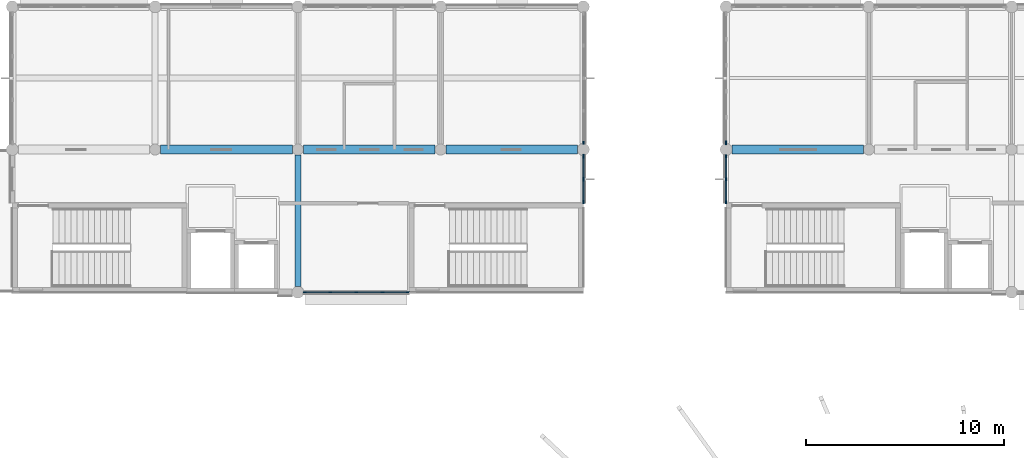
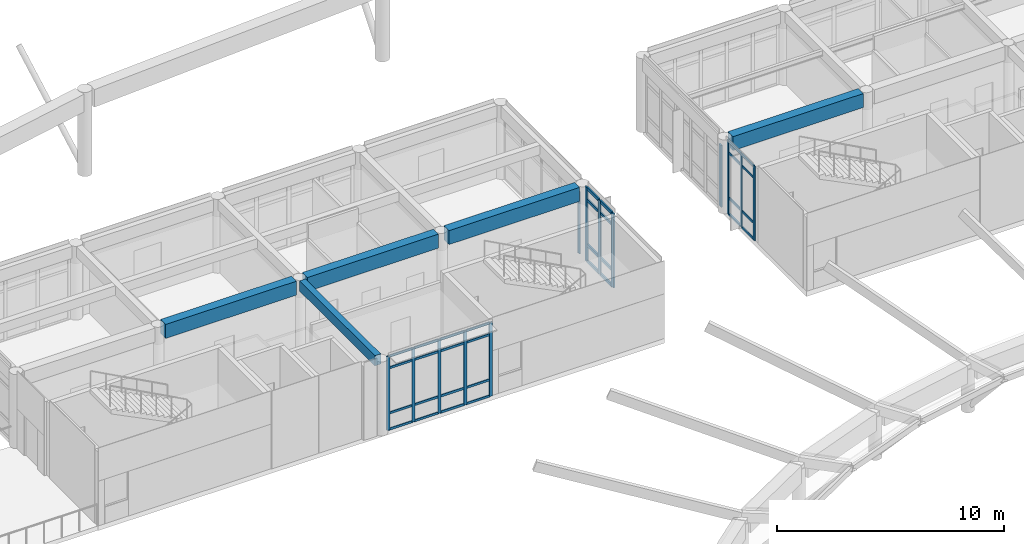
# One storey, part 8 of 37: 45 members, 5 beams, 5 elements without a shape of their own.
"""IFC4 building model written with IfcOpenShell, lengths in metres."""

from ifc_helpers import new_model, si_unit, direction, frame, origin, origin_2d, place, context, subcontext, project, spatial, rectangle, extrude, material, layer, layer_set, material_profile, profile_set, type_object, element, aggregate, save


model = new_model("IFC4")

# Units and contexts
model_context = context("Model", 3, precision=1e-05, world=origin(), true_north=direction((0.0, 1.0)))
body_context = subcontext(model_context, "Body", "Model", "MODEL_VIEW")
ifc_project = project(units=[si_unit("LENGTHUNIT", "METRE"), si_unit("AREAUNIT", "SQUARE_METRE"), si_unit("VOLUMEUNIT", "CUBIC_METRE"), si_unit("PLANEANGLEUNIT", "RADIAN"), si_unit("MASSUNIT", "GRAM", prefix="KILO")], contexts=[model_context])

# Site, building, storey
site_placement = place(None, origin())
site = spatial("IfcSite", under=ifc_project, at=site_placement, CompositionType="ELEMENT")
building_placement = place(site_placement, origin())
building = spatial("IfcBuilding", under=site, at=building_placement, Name="Namkhue Oval Health Centre", CompositionType="ELEMENT")
storey_placement = place(building_placement, frame((0.0, 0.0, 22.199951171875)))
storey = spatial("IfcBuildingStorey", under=building, at=storey_placement, Name="L05", CompositionType="ELEMENT", Elevation=22.199951171875)

# Curtain wall, members
ifc_material_1 = material(Name="Anodised aluminium EN AW-6063 T6", Category="aluminium")
ifc_layer_1 = layer(ifc_material_1, 0.159912109375)
ifc_layer_set_1 = layer_set([ifc_layer_1], Name="Anodised aluminium EN AW-6063 T6")
curtain_wall_type_1 = type_object("IfcCurtainWallType", Name="UNITISED CURTAIN WALL M1200", PredefinedType="NOTDEFINED", material=ifc_layer_set_1)
curtain_wall_1_placement = place(storey_placement, origin())
curtain_wall_1 = element("IfcCurtainWall", 1, at=curtain_wall_1_placement, inside=storey, type_object=curtain_wall_type_1, Name="Volume V2 L05 Unitised Curtain Wall 85", PredefinedType="NOTDEFINED")
ifc_material_profile_1 = material_profile(ifc_material_1, rectangle(XDim=0.06494140625, YDim=0.159912109375, at=origin_2d()), Name="ALU 65x160")
ifc_profile_set_1 = profile_set([ifc_material_profile_1], Name="Anodised aluminium EN AW-6063 T6")
member_type_1 = type_object("IfcMemberType", Name="CURTAIN WALL MULLION 65X160", PredefinedType="MULLION", material=ifc_profile_set_1)
member_1_placement = place(storey_placement, frame((72.342529296875, 90.0, 0.0), z_axis=(0.0, 0.0, 1.0), x_axis=(0.0, 1.0, 0.0)))
member_1 = element("IfcMember", 2, at=member_1_placement, type_object=member_type_1, Name="CW-01 mullion 1", PredefinedType="MULLION", context=body_context, shape_type="SweptSolid", body=[
    extrude(rectangle(XDim=0.06494140625, YDim=0.159912109375, at=origin_2d()), origin(), (0.0, 0.0, 1.0), 3.97509765625),
])
member_2_placement = place(storey_placement, frame((73.628173828125, 90.0, 0.0), z_axis=(0.0, 0.0, 1.0), x_axis=(0.0, 1.0, 0.0)))
member_2 = element("IfcMember", 3, at=member_2_placement, type_object=member_type_1, Name="CW-01 mullion 2", PredefinedType="MULLION", context=body_context, shape_type="SweptSolid", body=[
    extrude(rectangle(XDim=0.06494140625, YDim=0.159912109375, at=origin_2d()), origin(), (0.0, 0.0, 1.0), 3.97509765625),
])
member_3_placement = place(storey_placement, frame((74.946533203125, 90.0, 0.0), z_axis=(0.0, 0.0, 1.0), x_axis=(0.0, 1.0, 0.0)))
member_3 = element("IfcMember", 4, at=member_3_placement, type_object=member_type_1, Name="CW-01 mullion 3", PredefinedType="MULLION", context=body_context, shape_type="SweptSolid", body=[
    extrude(rectangle(XDim=0.06494140625, YDim=0.159912109375, at=origin_2d()), origin(), (0.0, 0.0, 1.0), 3.97509765625),
])
member_4_placement = place(storey_placement, frame((76.2646484375, 90.0, 0.0), z_axis=(0.0, 0.0, 1.0), x_axis=(0.0, 1.0, 0.0)))
member_4 = element("IfcMember", 5, at=member_4_placement, type_object=member_type_1, Name="CW-01 mullion 4", PredefinedType="MULLION", context=body_context, shape_type="SweptSolid", body=[
    extrude(rectangle(XDim=0.06494140625, YDim=0.159912109375, at=origin_2d()), origin(), (0.0, 0.0, 1.0), 3.97509765625),
])
member_5_placement = place(storey_placement, frame((77.550537109375, 90.0, 0.0), z_axis=(0.0, 0.0, 1.0), x_axis=(0.0, 1.0, 0.0)))
member_5 = element("IfcMember", 6, at=member_5_placement, type_object=member_type_1, Name="CW-01 mullion 5", PredefinedType="MULLION", context=body_context, shape_type="SweptSolid", body=[
    extrude(rectangle(XDim=0.06494140625, YDim=0.159912109375, at=origin_2d()), origin(), (0.0, 0.0, 1.0), 3.97509765625),
])

# Curtain wall, member
ifc_layer_2 = layer(ifc_material_1, 0.159912109375)
ifc_layer_set_2 = layer_set([ifc_layer_2], Name="Anodised aluminium EN AW-6063 T6")
curtain_wall_type_2 = type_object("IfcCurtainWallType", Name="UNITISED CURTAIN WALL M1500", PredefinedType="NOTDEFINED", material=ifc_layer_set_2)
curtain_wall_2_placement = place(storey_placement, origin())
curtain_wall_2 = element("IfcCurtainWall", 7, at=curtain_wall_2_placement, inside=storey, type_object=curtain_wall_type_2, Name="Volume V2 L05 Unitised Curtain Wall 87", PredefinedType="NOTDEFINED")
member_6_placement = place(storey_placement, frame((86.39990234375, 97.54248046875, 0.0), z_axis=(0.0, 0.0, 1.0), x_axis=(-1.0, 0.0, 0.0)))
member_6 = element("IfcMember", 8, at=member_6_placement, type_object=member_type_1, Name="CW-03 mullion 1", PredefinedType="MULLION", context=body_context, shape_type="SweptSolid", body=[
    extrude(rectangle(XDim=0.06494140625, YDim=0.159912109375, at=origin_2d()), origin(), (0.0, 0.0, 1.0), 3.324951171875),
])
aggregate(curtain_wall_2, [member_6])

# Curtain wall, members
curtain_wall_3_placement = place(storey_placement, origin())
curtain_wall_3 = element("IfcCurtainWall", 9, at=curtain_wall_3_placement, inside=storey, type_object=curtain_wall_type_2, Name="Volume V3 L05 Unitised Curtain Wall 135", PredefinedType="NOTDEFINED")
member_7_placement = place(storey_placement, frame((93.60009765625, 96.857421875, 0.0), z_axis=(0.0, 0.0, 1.0), x_axis=(1.0, 0.0, 0.0)))
member_7 = element("IfcMember", 10, at=member_7_placement, type_object=member_type_1, Name="CW-03 mullion 1", PredefinedType="MULLION", context=body_context, shape_type="SweptSolid", body=[
    extrude(rectangle(XDim=0.06494140625, YDim=0.159912109375, at=origin_2d()), origin(), (0.0, 0.0, 1.0), 3.969970703125),
])
member_8_placement = place(storey_placement, frame((93.60009765625, 95.70361328125, 0.0), z_axis=(0.0, 0.0, 1.0), x_axis=(1.0, 0.0, 0.0)))
member_8 = element("IfcMember", 11, at=member_8_placement, type_object=member_type_1, Name="CW-03 mullion 2", PredefinedType="MULLION", context=body_context, shape_type="SweptSolid", body=[
    extrude(rectangle(XDim=0.06494140625, YDim=0.159912109375, at=origin_2d()), origin(), (0.0, 0.0, 1.0), 3.969970703125),
])
member_9_placement = place(storey_placement, frame((93.60009765625, 94.549560546875, 0.0), z_axis=(0.0, 0.0, 1.0), x_axis=(1.0, 0.0, 0.0)))
member_9 = element("IfcMember", 12, at=member_9_placement, type_object=member_type_1, Name="CW-03 mullion 3", PredefinedType="MULLION", context=body_context, shape_type="SweptSolid", body=[
    extrude(rectangle(XDim=0.06494140625, YDim=0.159912109375, at=origin_2d()), origin(), (0.0, 0.0, 1.0), 3.969970703125),
])

ifc_layer_3 = layer(ifc_material_1, 0.159912109375)
ifc_layer_set_3 = layer_set([ifc_layer_3], Name="Anodised aluminium EN AW-6063 T6")
curtain_wall_type_3 = type_object("IfcCurtainWallType", Name="UNITISED CURTAIN WALL M1350", PredefinedType="NOTDEFINED", material=ifc_layer_set_3)
curtain_wall_4_placement = place(storey_placement, origin())
curtain_wall_4 = element("IfcCurtainWall", 13, at=curtain_wall_4_placement, inside=storey, type_object=curtain_wall_type_3, Name="Volume V2 L05 Unitised Curtain Wall 86", PredefinedType="NOTDEFINED")
ifc_material_profile_2 = material_profile(ifc_material_1, rectangle(XDim=0.074951171875, YDim=0.199951171875, at=origin_2d()), Name="ALU 75x200")
ifc_profile_set_2 = profile_set([ifc_material_profile_2], Name="Anodised aluminium EN AW-6063 T6")
member_type_2 = type_object("IfcMemberType", Name="CURTAIN WALL MULLION 75X200", PredefinedType="MULLION", material=ifc_profile_set_2)
member_10_placement = place(storey_placement, frame((86.39990234375, 94.554443359375, 0.0), z_axis=(0.0, 0.0, 1.0), x_axis=(-1.0, 0.0, 0.0)))
member_10 = element("IfcMember", 14, at=member_10_placement, type_object=member_type_2, Name="CW-02 mullion 1", PredefinedType="MULLION", context=body_context, shape_type="SweptSolid", body=[
    extrude(rectangle(XDim=0.074951171875, YDim=0.199951171875, at=origin_2d()), origin(), (0.0, 0.0, 1.0), 3.97509765625),
])
member_11_placement = place(storey_placement, frame((86.39990234375, 95.70361328125, 0.0), z_axis=(0.0, 0.0, 1.0), x_axis=(-1.0, 0.0, 0.0)))
member_11 = element("IfcMember", 15, at=member_11_placement, type_object=member_type_2, Name="CW-02 mullion 2", PredefinedType="MULLION", context=body_context, shape_type="SweptSolid", body=[
    extrude(rectangle(XDim=0.074951171875, YDim=0.199951171875, at=origin_2d()), origin(), (0.0, 0.0, 1.0), 3.97509765625),
])
member_12_placement = place(storey_placement, frame((86.39990234375, 96.8525390625, 0.0), z_axis=(0.0, 0.0, 1.0), x_axis=(-1.0, 0.0, 0.0)))
member_12 = element("IfcMember", 16, at=member_12_placement, type_object=member_type_2, Name="CW-02 mullion 3", PredefinedType="MULLION", context=body_context, shape_type="SweptSolid", body=[
    extrude(rectangle(XDim=0.074951171875, YDim=0.199951171875, at=origin_2d()), origin(), (0.0, 0.0, 1.0), 3.97509765625),
])

# Curtain wall, member
curtain_wall_5_placement = place(storey_placement, origin())
curtain_wall_5 = element("IfcCurtainWall", 17, at=curtain_wall_5_placement, inside=storey, type_object=curtain_wall_type_3, Name="Volume V3 L05 Unitised Curtain Wall 134", PredefinedType="NOTDEFINED")
member_13_placement = place(storey_placement, frame((93.60009765625, 97.547607421875, 0.0), z_axis=(0.0, 0.0, 1.0), x_axis=(1.0, 0.0, 0.0)))
member_13 = element("IfcMember", 18, at=member_13_placement, type_object=member_type_2, Name="CW-02 mullion 6", PredefinedType="MULLION", context=body_context, shape_type="SweptSolid", body=[
    extrude(rectangle(XDim=0.074951171875, YDim=0.199951171875, at=origin_2d()), origin(), (0.0, 0.0, 1.0), 3.320068359375),
])
aggregate(curtain_wall_5, [member_13])

# Member
ifc_material_profile_3 = material_profile(ifc_material_1, rectangle(XDim=0.06494140625, YDim=0.1201171875, at=origin_2d()), Name="ALU 65x120")
ifc_profile_set_3 = profile_set([ifc_material_profile_3], Name="Anodised aluminium EN AW-6063 T6")
member_type_3 = type_object("IfcMemberType", Name="CURTAIN WALL TRANSOM 65X120", PredefinedType="USERDEFINED", material=ifc_profile_set_3)
member_14_placement = place(storey_placement, frame((72.375, 90.0, 0.032470703125), z_axis=(1.0, 0.0, 0.0), x_axis=(0.0, 1.0, 0.0)))
member_14 = element("IfcMember", 19, at=member_14_placement, type_object=member_type_3, Name="CW-01 transom 1.1", ObjectType="TRANSOM", PredefinedType="USERDEFINED", context=body_context, shape_type="SweptSolid", body=[
    extrude(rectangle(XDim=0.06494140625, YDim=0.1201171875, at=origin_2d()), origin(), (0.0, 0.0, 1.0), 1.220703125),
])

member_15_placement = place(storey_placement, frame((72.375, 90.0, 0.900146484375), z_axis=(1.0, 0.0, 0.0), x_axis=(0.0, 1.0, 0.0)))
member_15 = element("IfcMember", 20, at=member_15_placement, type_object=member_type_3, Name="CW-01 transom 1.2", ObjectType="TRANSOM", PredefinedType="USERDEFINED", context=body_context, shape_type="SweptSolid", body=[
    extrude(rectangle(XDim=0.06494140625, YDim=0.1201171875, at=origin_2d()), origin(), (0.0, 0.0, 1.0), 1.220703125),
])

member_16_placement = place(storey_placement, frame((72.375, 90.0, 3.324951171875), z_axis=(1.0, 0.0, 0.0), x_axis=(0.0, 1.0, 0.0)))
member_16 = element("IfcMember", 21, at=member_16_placement, type_object=member_type_3, Name="CW-01 transom 1.3", ObjectType="TRANSOM", PredefinedType="USERDEFINED", context=body_context, shape_type="SweptSolid", body=[
    extrude(rectangle(XDim=0.06494140625, YDim=0.1201171875, at=origin_2d()), origin(), (0.0, 0.0, 1.0), 1.220703125),
])

member_17_placement = place(storey_placement, frame((72.375, 90.0, 3.942626953125), z_axis=(1.0, 0.0, 0.0), x_axis=(0.0, 1.0, 0.0)))
member_17 = element("IfcMember", 22, at=member_17_placement, type_object=member_type_3, Name="CW-01 transom 1.4", ObjectType="TRANSOM", PredefinedType="USERDEFINED", context=body_context, shape_type="SweptSolid", body=[
    extrude(rectangle(XDim=0.06494140625, YDim=0.1201171875, at=origin_2d()), origin(), (0.0, 0.0, 1.0), 1.220703125),
])

member_18_placement = place(storey_placement, frame((73.66064453125, 90.0, 0.032470703125), z_axis=(1.0, 0.0, 0.0), x_axis=(0.0, 1.0, 0.0)))
member_18 = element("IfcMember", 23, at=member_18_placement, type_object=member_type_3, Name="CW-01 transom 2.1", ObjectType="TRANSOM", PredefinedType="USERDEFINED", context=body_context, shape_type="SweptSolid", body=[
    extrude(rectangle(XDim=0.06494140625, YDim=0.1201171875, at=origin_2d()), origin(), (0.0, 0.0, 1.0), 1.25341796875),
])

member_19_placement = place(storey_placement, frame((73.66064453125, 90.0, 0.900146484375), z_axis=(1.0, 0.0, 0.0), x_axis=(0.0, 1.0, 0.0)))
member_19 = element("IfcMember", 24, at=member_19_placement, type_object=member_type_3, Name="CW-01 transom 2.2", ObjectType="TRANSOM", PredefinedType="USERDEFINED", context=body_context, shape_type="SweptSolid", body=[
    extrude(rectangle(XDim=0.06494140625, YDim=0.1201171875, at=origin_2d()), origin(), (0.0, 0.0, 1.0), 1.25341796875),
])

member_20_placement = place(storey_placement, frame((73.66064453125, 90.0, 3.324951171875), z_axis=(1.0, 0.0, 0.0), x_axis=(0.0, 1.0, 0.0)))
member_20 = element("IfcMember", 25, at=member_20_placement, type_object=member_type_3, Name="CW-01 transom 2.3", ObjectType="TRANSOM", PredefinedType="USERDEFINED", context=body_context, shape_type="SweptSolid", body=[
    extrude(rectangle(XDim=0.06494140625, YDim=0.1201171875, at=origin_2d()), origin(), (0.0, 0.0, 1.0), 1.25341796875),
])

member_21_placement = place(storey_placement, frame((73.66064453125, 90.0, 3.942626953125), z_axis=(1.0, 0.0, 0.0), x_axis=(0.0, 1.0, 0.0)))
member_21 = element("IfcMember", 26, at=member_21_placement, type_object=member_type_3, Name="CW-01 transom 2.4", ObjectType="TRANSOM", PredefinedType="USERDEFINED", context=body_context, shape_type="SweptSolid", body=[
    extrude(rectangle(XDim=0.06494140625, YDim=0.1201171875, at=origin_2d()), origin(), (0.0, 0.0, 1.0), 1.25341796875),
])

member_22_placement = place(storey_placement, frame((74.97900390625, 90.0, 0.032470703125), z_axis=(1.0, 0.0, 0.0), x_axis=(0.0, 1.0, 0.0)))
member_22 = element("IfcMember", 27, at=member_22_placement, type_object=member_type_3, Name="CW-01 transom 3.1", ObjectType="TRANSOM", PredefinedType="USERDEFINED", context=body_context, shape_type="SweptSolid", body=[
    extrude(rectangle(XDim=0.06494140625, YDim=0.1201171875, at=origin_2d()), origin(), (0.0, 0.0, 1.0), 1.253173828125),
])

member_23_placement = place(storey_placement, frame((74.97900390625, 90.0, 0.900146484375), z_axis=(1.0, 0.0, 0.0), x_axis=(0.0, 1.0, 0.0)))
member_23 = element("IfcMember", 28, at=member_23_placement, type_object=member_type_3, Name="CW-01 transom 3.2", ObjectType="TRANSOM", PredefinedType="USERDEFINED", context=body_context, shape_type="SweptSolid", body=[
    extrude(rectangle(XDim=0.06494140625, YDim=0.1201171875, at=origin_2d()), origin(), (0.0, 0.0, 1.0), 1.253173828125),
])

member_24_placement = place(storey_placement, frame((74.97900390625, 90.0, 3.324951171875), z_axis=(1.0, 0.0, 0.0), x_axis=(0.0, 1.0, 0.0)))
member_24 = element("IfcMember", 29, at=member_24_placement, type_object=member_type_3, Name="CW-01 transom 3.3", ObjectType="TRANSOM", PredefinedType="USERDEFINED", context=body_context, shape_type="SweptSolid", body=[
    extrude(rectangle(XDim=0.06494140625, YDim=0.1201171875, at=origin_2d()), origin(), (0.0, 0.0, 1.0), 1.253173828125),
])

member_25_placement = place(storey_placement, frame((74.97900390625, 90.0, 3.942626953125), z_axis=(1.0, 0.0, 0.0), x_axis=(0.0, 1.0, 0.0)))
member_25 = element("IfcMember", 30, at=member_25_placement, type_object=member_type_3, Name="CW-01 transom 3.4", ObjectType="TRANSOM", PredefinedType="USERDEFINED", context=body_context, shape_type="SweptSolid", body=[
    extrude(rectangle(XDim=0.06494140625, YDim=0.1201171875, at=origin_2d()), origin(), (0.0, 0.0, 1.0), 1.253173828125),
])

member_26_placement = place(storey_placement, frame((76.29736328125, 90.0, 0.032470703125), z_axis=(1.0, 0.0, 0.0), x_axis=(0.0, 1.0, 0.0)))
member_26 = element("IfcMember", 31, at=member_26_placement, type_object=member_type_3, Name="CW-01 transom 4.1", ObjectType="TRANSOM", PredefinedType="USERDEFINED", context=body_context, shape_type="SweptSolid", body=[
    extrude(rectangle(XDim=0.06494140625, YDim=0.1201171875, at=origin_2d()), origin(), (0.0, 0.0, 1.0), 1.220703125),
])

member_27_placement = place(storey_placement, frame((76.29736328125, 90.0, 0.900146484375), z_axis=(1.0, 0.0, 0.0), x_axis=(0.0, 1.0, 0.0)))
member_27 = element("IfcMember", 32, at=member_27_placement, type_object=member_type_3, Name="CW-01 transom 4.2", ObjectType="TRANSOM", PredefinedType="USERDEFINED", context=body_context, shape_type="SweptSolid", body=[
    extrude(rectangle(XDim=0.06494140625, YDim=0.1201171875, at=origin_2d()), origin(), (0.0, 0.0, 1.0), 1.220703125),
])

member_28_placement = place(storey_placement, frame((76.29736328125, 90.0, 3.324951171875), z_axis=(1.0, 0.0, 0.0), x_axis=(0.0, 1.0, 0.0)))
member_28 = element("IfcMember", 33, at=member_28_placement, type_object=member_type_3, Name="CW-01 transom 4.3", ObjectType="TRANSOM", PredefinedType="USERDEFINED", context=body_context, shape_type="SweptSolid", body=[
    extrude(rectangle(XDim=0.06494140625, YDim=0.1201171875, at=origin_2d()), origin(), (0.0, 0.0, 1.0), 1.220703125),
])

member_29_placement = place(storey_placement, frame((76.29736328125, 90.0, 3.942626953125), z_axis=(1.0, 0.0, 0.0), x_axis=(0.0, 1.0, 0.0)))
member_29 = element("IfcMember", 34, at=member_29_placement, type_object=member_type_3, Name="CW-01 transom 4.4", ObjectType="TRANSOM", PredefinedType="USERDEFINED", context=body_context, shape_type="SweptSolid", body=[
    extrude(rectangle(XDim=0.06494140625, YDim=0.1201171875, at=origin_2d()), origin(), (0.0, 0.0, 1.0), 1.220703125),
])

aggregate(curtain_wall_1, [member_1, member_2, member_3, member_4, member_5, member_14, member_15, member_16, member_17, member_18, member_19, member_20, member_21, member_22, member_23, member_24, member_25, member_26, member_27, member_28, member_29])

member_30_placement = place(storey_placement, frame((93.60009765625, 96.824951171875, 0.032470703125), z_axis=(0.0, -1.0, 0.0), x_axis=(1.0, 0.0, 0.0)))
member_30 = element("IfcMember", 35, at=member_30_placement, type_object=member_type_3, Name="CW-03 transom 1.1", ObjectType="TRANSOM", PredefinedType="USERDEFINED", context=body_context, shape_type="SweptSolid", body=[
    extrude(rectangle(XDim=0.06494140625, YDim=0.1201171875, at=origin_2d()), origin(), (0.0, 0.0, 1.0), 1.0888671875),
])

member_31_placement = place(storey_placement, frame((93.60009765625, 96.824951171875, 0.900146484375), z_axis=(0.0, -1.0, 0.0), x_axis=(1.0, 0.0, 0.0)))
member_31 = element("IfcMember", 36, at=member_31_placement, type_object=member_type_3, Name="CW-03 transom 1.2", ObjectType="TRANSOM", PredefinedType="USERDEFINED", context=body_context, shape_type="SweptSolid", body=[
    extrude(rectangle(XDim=0.06494140625, YDim=0.1201171875, at=origin_2d()), origin(), (0.0, 0.0, 1.0), 1.0888671875),
])

member_32_placement = place(storey_placement, frame((93.60009765625, 96.824951171875, 3.320068359375), z_axis=(0.0, -1.0, 0.0), x_axis=(1.0, 0.0, 0.0)))
member_32 = element("IfcMember", 37, at=member_32_placement, type_object=member_type_3, Name="CW-03 transom 1.3", ObjectType="TRANSOM", PredefinedType="USERDEFINED", context=body_context, shape_type="SweptSolid", body=[
    extrude(rectangle(XDim=0.06494140625, YDim=0.1201171875, at=origin_2d()), origin(), (0.0, 0.0, 1.0), 1.0888671875),
])

member_33_placement = place(storey_placement, frame((93.60009765625, 96.824951171875, 3.9375), z_axis=(0.0, -1.0, 0.0), x_axis=(1.0, 0.0, 0.0)))
member_33 = element("IfcMember", 38, at=member_33_placement, type_object=member_type_3, Name="CW-03 transom 1.4", ObjectType="TRANSOM", PredefinedType="USERDEFINED", context=body_context, shape_type="SweptSolid", body=[
    extrude(rectangle(XDim=0.06494140625, YDim=0.1201171875, at=origin_2d()), origin(), (0.0, 0.0, 1.0), 1.0888671875),
])

member_34_placement = place(storey_placement, frame((93.60009765625, 95.6708984375, 0.032470703125), z_axis=(0.0, -1.0, 0.0), x_axis=(1.0, 0.0, 0.0)))
member_34 = element("IfcMember", 39, at=member_34_placement, type_object=member_type_3, Name="CW-03 transom 2.1", ObjectType="TRANSOM", PredefinedType="USERDEFINED", context=body_context, shape_type="SweptSolid", body=[
    extrude(rectangle(XDim=0.06494140625, YDim=0.1201171875, at=origin_2d()), origin(), (0.0, 0.0, 1.0), 1.0888671875),
])

member_35_placement = place(storey_placement, frame((93.60009765625, 95.6708984375, 0.900146484375), z_axis=(0.0, -1.0, 0.0), x_axis=(1.0, 0.0, 0.0)))
member_35 = element("IfcMember", 40, at=member_35_placement, type_object=member_type_3, Name="CW-03 transom 2.2", ObjectType="TRANSOM", PredefinedType="USERDEFINED", context=body_context, shape_type="SweptSolid", body=[
    extrude(rectangle(XDim=0.06494140625, YDim=0.1201171875, at=origin_2d()), origin(), (0.0, 0.0, 1.0), 1.0888671875),
])

member_36_placement = place(storey_placement, frame((93.60009765625, 95.6708984375, 3.320068359375), z_axis=(0.0, -1.0, 0.0), x_axis=(1.0, 0.0, 0.0)))
member_36 = element("IfcMember", 41, at=member_36_placement, type_object=member_type_3, Name="CW-03 transom 2.3", ObjectType="TRANSOM", PredefinedType="USERDEFINED", context=body_context, shape_type="SweptSolid", body=[
    extrude(rectangle(XDim=0.06494140625, YDim=0.1201171875, at=origin_2d()), origin(), (0.0, 0.0, 1.0), 1.0888671875),
])

member_37_placement = place(storey_placement, frame((93.60009765625, 95.6708984375, 3.9375), z_axis=(0.0, -1.0, 0.0), x_axis=(1.0, 0.0, 0.0)))
member_37 = element("IfcMember", 42, at=member_37_placement, type_object=member_type_3, Name="CW-03 transom 2.4", ObjectType="TRANSOM", PredefinedType="USERDEFINED", context=body_context, shape_type="SweptSolid", body=[
    extrude(rectangle(XDim=0.06494140625, YDim=0.1201171875, at=origin_2d()), origin(), (0.0, 0.0, 1.0), 1.0888671875),
])

aggregate(curtain_wall_3, [member_7, member_8, member_9, member_30, member_31, member_32, member_33, member_34, member_35, member_36, member_37])

ifc_material_profile_4 = material_profile(ifc_material_1, rectangle(XDim=0.074951171875, YDim=0.14990234375, at=origin_2d()), Name="ALU 75x150")
ifc_profile_set_4 = profile_set([ifc_material_profile_4], Name="Anodised aluminium EN AW-6063 T6")
member_type_4 = type_object("IfcMemberType", Name="CURTAIN WALL TRANSOM 75X150", PredefinedType="USERDEFINED", material=ifc_profile_set_4)
member_38_placement = place(storey_placement, frame((86.39990234375, 94.592041015625, 0.03759765625), z_axis=(0.0, 1.0, 0.0), x_axis=(-1.0, 0.0, 0.0)))
member_38 = element("IfcMember", 43, at=member_38_placement, type_object=member_type_4, Name="CW-02 transom 1.1", ObjectType="TRANSOM", PredefinedType="USERDEFINED", context=body_context, shape_type="SweptSolid", body=[
    extrude(rectangle(XDim=0.074951171875, YDim=0.14990234375, at=origin_2d()), origin(), (0.0, 0.0, 1.0), 1.073974609375),
])

member_39_placement = place(storey_placement, frame((86.39990234375, 94.592041015625, 0.900146484375), z_axis=(0.0, 1.0, 0.0), x_axis=(-1.0, 0.0, 0.0)))
member_39 = element("IfcMember", 44, at=member_39_placement, type_object=member_type_4, Name="CW-02 transom 1.2", ObjectType="TRANSOM", PredefinedType="USERDEFINED", context=body_context, shape_type="SweptSolid", body=[
    extrude(rectangle(XDim=0.074951171875, YDim=0.14990234375, at=origin_2d()), origin(), (0.0, 0.0, 1.0), 1.073974609375),
])

member_40_placement = place(storey_placement, frame((86.39990234375, 94.592041015625, 3.324951171875), z_axis=(0.0, 1.0, 0.0), x_axis=(-1.0, 0.0, 0.0)))
member_40 = element("IfcMember", 45, at=member_40_placement, type_object=member_type_4, Name="CW-02 transom 1.3", ObjectType="TRANSOM", PredefinedType="USERDEFINED", context=body_context, shape_type="SweptSolid", body=[
    extrude(rectangle(XDim=0.074951171875, YDim=0.14990234375, at=origin_2d()), origin(), (0.0, 0.0, 1.0), 1.073974609375),
])

member_41_placement = place(storey_placement, frame((86.39990234375, 94.592041015625, 3.9375), z_axis=(0.0, 1.0, 0.0), x_axis=(-1.0, 0.0, 0.0)))
member_41 = element("IfcMember", 46, at=member_41_placement, type_object=member_type_4, Name="CW-02 transom 1.4", ObjectType="TRANSOM", PredefinedType="USERDEFINED", context=body_context, shape_type="SweptSolid", body=[
    extrude(rectangle(XDim=0.074951171875, YDim=0.14990234375, at=origin_2d()), origin(), (0.0, 0.0, 1.0), 1.073974609375),
])

member_42_placement = place(storey_placement, frame((86.39990234375, 95.740966796875, 0.03759765625), z_axis=(0.0, 1.0, 0.0), x_axis=(-1.0, 0.0, 0.0)))
member_42 = element("IfcMember", 47, at=member_42_placement, type_object=member_type_4, Name="CW-02 transom 2.1", ObjectType="TRANSOM", PredefinedType="USERDEFINED", context=body_context, shape_type="SweptSolid", body=[
    extrude(rectangle(XDim=0.074951171875, YDim=0.14990234375, at=origin_2d()), origin(), (0.0, 0.0, 1.0), 1.073974609375),
])

member_43_placement = place(storey_placement, frame((86.39990234375, 95.740966796875, 0.900146484375), z_axis=(0.0, 1.0, 0.0), x_axis=(-1.0, 0.0, 0.0)))
member_43 = element("IfcMember", 48, at=member_43_placement, type_object=member_type_4, Name="CW-02 transom 2.2", ObjectType="TRANSOM", PredefinedType="USERDEFINED", context=body_context, shape_type="SweptSolid", body=[
    extrude(rectangle(XDim=0.074951171875, YDim=0.14990234375, at=origin_2d()), origin(), (0.0, 0.0, 1.0), 1.073974609375),
])

member_44_placement = place(storey_placement, frame((86.39990234375, 95.740966796875, 3.324951171875), z_axis=(0.0, 1.0, 0.0), x_axis=(-1.0, 0.0, 0.0)))
member_44 = element("IfcMember", 49, at=member_44_placement, type_object=member_type_4, Name="CW-02 transom 2.3", ObjectType="TRANSOM", PredefinedType="USERDEFINED", context=body_context, shape_type="SweptSolid", body=[
    extrude(rectangle(XDim=0.074951171875, YDim=0.14990234375, at=origin_2d()), origin(), (0.0, 0.0, 1.0), 1.073974609375),
])

member_45_placement = place(storey_placement, frame((86.39990234375, 95.740966796875, 3.9375), z_axis=(0.0, 1.0, 0.0), x_axis=(-1.0, 0.0, 0.0)))
member_45 = element("IfcMember", 50, at=member_45_placement, type_object=member_type_4, Name="CW-02 transom 2.4", ObjectType="TRANSOM", PredefinedType="USERDEFINED", context=body_context, shape_type="SweptSolid", body=[
    extrude(rectangle(XDim=0.074951171875, YDim=0.14990234375, at=origin_2d()), origin(), (0.0, 0.0, 1.0), 1.073974609375),
])

aggregate(curtain_wall_4, [member_10, member_11, member_12, member_38, member_39, member_40, member_41, member_42, member_43, member_44, member_45])

# Beams
ifc_material_2 = material(Name="Reinforced concrete C30/37 (TCVN B35)", Category="concrete")
ifc_material_profile_5 = material_profile(ifc_material_2, rectangle(XDim=0.300048828125, YDim=0.550048828125, at=origin_2d()), Name="RC 300x550")
ifc_profile_set_5 = profile_set([ifc_material_profile_5], Name="Reinforced concrete C30/37 (TCVN B35)")
beam_type_1 = type_object("IfcBeamType", Name="FLOOR BEAM RC 300X550", PredefinedType="BEAM", material=ifc_profile_set_5)
beam_placement = place(storey_placement, frame((72.0, 90.300048828125, 3.699951171875), z_axis=(0.0, 1.0, 0.0), x_axis=(-1.0, 0.0, 0.0)))
element("IfcBeam", 51, at=beam_placement, inside=storey, type_object=beam_type_1, Name="Volume V2 RF Beam 11/N-O", PredefinedType="BEAM", context=body_context, shape_type="SweptSolid", body=[
    extrude(rectangle(XDim=0.300048828125, YDim=0.550048828125, at=origin_2d()), origin(), (0.0, 0.0, 1.0), 6.625),
])
ifc_material_3 = material(Name="Reinforced concrete C35/45 (TCVN B40)", Category="concrete")
ifc_material_profile_6 = material_profile(ifc_material_3, rectangle(XDim=0.449951171875, YDim=0.75, at=origin_2d()), Name="RC 450x750")
ifc_profile_set_6 = profile_set([ifc_material_profile_6], Name="Reinforced concrete C35/45 (TCVN B40)")
beam_type_2 = type_object("IfcBeamType", Name="PRIMARY GIRDER RC 450X750", PredefinedType="USERDEFINED", material=ifc_profile_set_6)
for number, where, z_axis, x_axis, name in (
    (52, (65.074951171875, 97.199951171875, 3.60009765625), (1.0, 0.0, 0.0), (0.0, 1.0, 0.0), "Volume V2 RF Girder O/10-11"),
    (53, (72.27490234375, 97.199951171875, 3.60009765625), (1.0, 0.0, 0.0), (0.0, 1.0, 0.0), "Volume V2 RF Girder O/11-12"),
):
    element("IfcBeam", number, at=place(storey_placement, frame(where, z_axis=z_axis, x_axis=x_axis)), inside=storey, type_object=beam_type_2, Name=name, ObjectType="GIRDER", PredefinedType="USERDEFINED", context=body_context, shape_type="SweptSolid", body=[
        extrude(rectangle(XDim=0.449951171875, YDim=0.75, at=origin_2d()), origin(), (0.0, 0.0, 1.0), 6.650146484375),
    ])
for number, where, z_axis, x_axis, name in (
    (54, (79.47509765625, 97.199951171875, 3.60009765625), (1.0, 0.0, 0.0), (0.0, 1.0, 0.0), "Volume V2 RF Girder O/12-13"),
    (55, (93.89990234375, 97.199951171875, 3.594970703125), (1.0, 0.0, 0.0), (0.0, 1.0, 0.0), "Volume V3 RF Girder O/14-15"),
):
    element("IfcBeam", number, at=place(storey_placement, frame(where, z_axis=z_axis, x_axis=x_axis)), inside=storey, type_object=beam_type_2, Name=name, ObjectType="GIRDER", PredefinedType="USERDEFINED", context=body_context, shape_type="SweptSolid", body=[
        extrude(rectangle(XDim=0.449951171875, YDim=0.75, at=origin_2d()), origin(), (0.0, 0.0, 1.0), 6.625),
    ])

save(model, "model.ifc")
